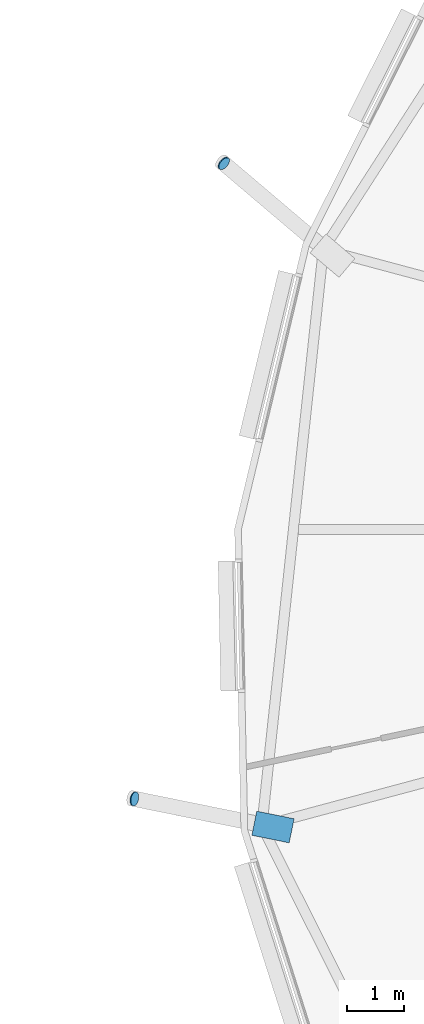
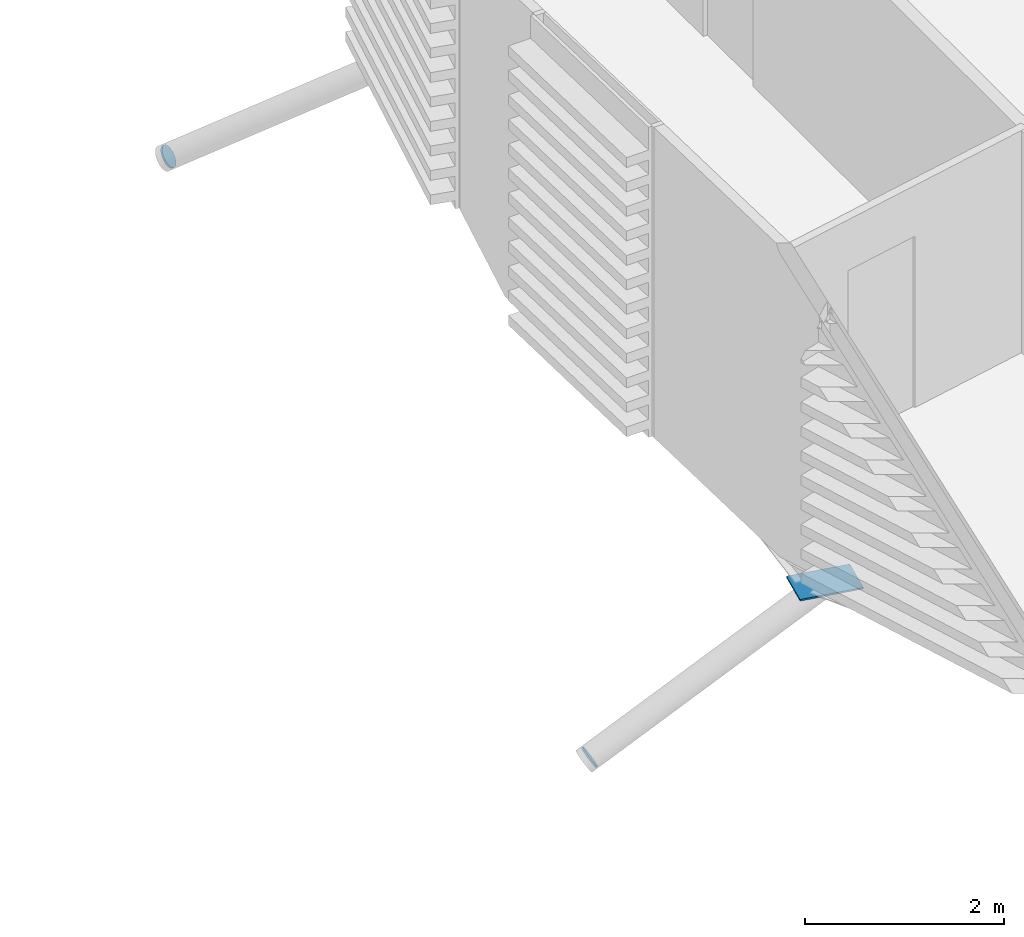
# One storey, part 31 of 41: 3 discrete accessories.
"""IFC4 building model written with IfcOpenShell, lengths in metres."""

from ifc_helpers import new_model, si_unit, direction, frame, origin, origin_2d, place, context, subcontext, project, spatial, polyline, rectangle, circle, outline, extrude, material, material_profile, profile_set, type_object, element, save


model = new_model("IFC4")

# Units and contexts
model_context = context("Model", 3, precision=1e-05, world=origin(), true_north=direction((0.0, 1.0)))
body_context = subcontext(model_context, "Body", "Model", "MODEL_VIEW")
ifc_project = project(units=[si_unit("LENGTHUNIT", "METRE"), si_unit("AREAUNIT", "SQUARE_METRE"), si_unit("VOLUMEUNIT", "CUBIC_METRE"), si_unit("PLANEANGLEUNIT", "RADIAN"), si_unit("MASSUNIT", "GRAM", prefix="KILO")], contexts=[model_context])

# Site, building, storey
site_placement = place(None, origin())
site = spatial("IfcSite", under=ifc_project, at=site_placement, CompositionType="ELEMENT")
building_placement = place(site_placement, origin())
building = spatial("IfcBuilding", under=site, at=building_placement, Name="Rimbun Link Towers", CompositionType="ELEMENT")
storey_placement = place(building_placement, frame((0.0, 0.0, 210.5)))
storey = spatial("IfcBuildingStorey", under=building, at=storey_placement, Name="L51", CompositionType="ELEMENT", Elevation=210.5)

# Discrete accessories
ifc_material_1 = material(Name="Steel S355J2H", Category="steel")
ifc_material_profile_1 = material_profile(ifc_material_1, circle(Radius=0.1240234375, at=origin_2d()), Name="PL D248")
ifc_profile_set_1 = profile_set([ifc_material_profile_1], Name="Steel S355J2H")
discrete_accessory_type_1 = type_object("IfcDiscreteAccessoryType", Name="Link foot sealing plate D248X20", PredefinedType="BRACKET", material=ifc_profile_set_1)
for number, where, z_axis, x_axis, name in (
    (1, (11.60986328125, 6.43798828125, -2.1103515625), (-0.648418106635, 0.538309371546, -0.538309371546), (-0.638755375653, -0.76940988431, 0.0), "Link foot sealing plate T2 L51 08"),
    (2, (10.037109375, -4.7412109375, -2.13720703125), (-0.827302034332, 0.170326889421, -0.535313081038), (-0.20165292067, -0.979457043257, 0.0), "Link foot sealing plate T2 L51 10"),
):
    element("IfcDiscreteAccessory", number, at=place(storey_placement, frame(where, z_axis=z_axis, x_axis=x_axis)), inside=storey, type_object=discrete_accessory_type_1, Name=name, PredefinedType="BRACKET", context=body_context, shape_type="SweptSolid", body=[
        extrude(circle(Radius=0.1240234375, at=origin_2d()), origin(), (0.0, 0.0, 1.0), 0.02001953125),
    ])
ifc_material_2 = material(Name="Steel S355J2H", Category="steel")
ifc_material_profile_2 = material_profile(ifc_material_2, rectangle(XDim=0.43310546875, YDim=0.43310546875, at=origin_2d()), Name="PL 433x433")
ifc_profile_set_2 = profile_set([ifc_material_profile_2], Name="Steel S355J2H")
discrete_accessory_type_2 = type_object("IfcDiscreteAccessoryType", Name="Link head end plate 433X20", PredefinedType="BRACKET", material=ifc_profile_set_2)
discrete_accessory_placement = place(storey_placement, frame((0.0, 0.0, -0.56640625)))
element("IfcDiscreteAccessory", 3, at=discrete_accessory_placement, inside=storey, type_object=discrete_accessory_type_2, Name="Link head end plate T2 L51 10", PredefinedType="BRACKET", context=body_context, shape_type="SweptSolid", body=[
    extrude(outline(polyline([(12.8408203125, -5.09033203125), (12.183837890625, -4.956787109375), (12.097412109375, -5.381103515625), (12.75439453125, -5.5146484375), (12.8408203125, -5.09033203125)])), origin(), (0.0, 0.0, 1.0), 0.02001953125),
])

save(model, "model.ifc")
